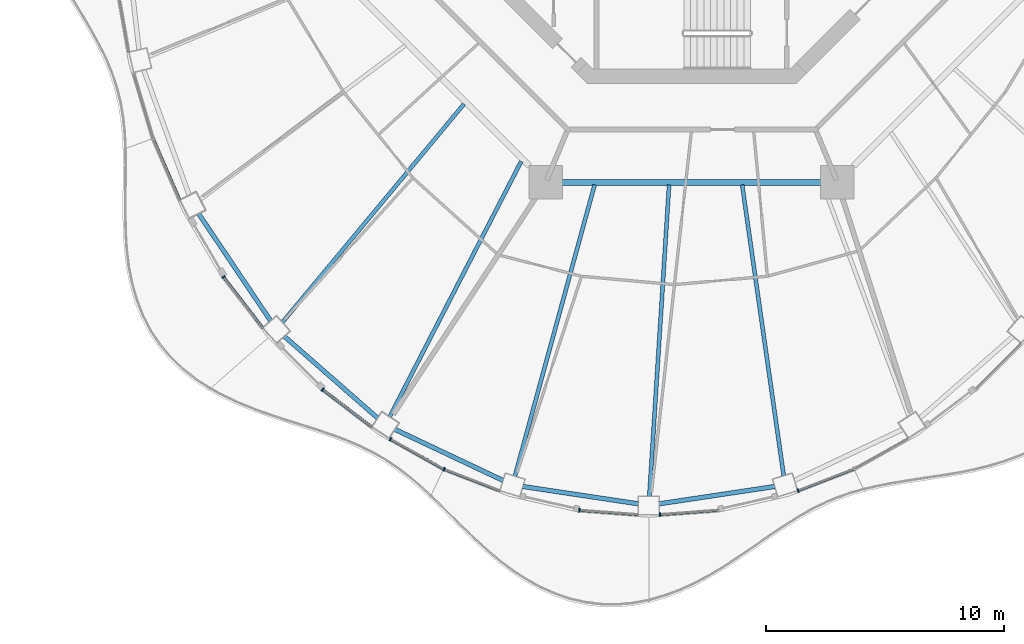
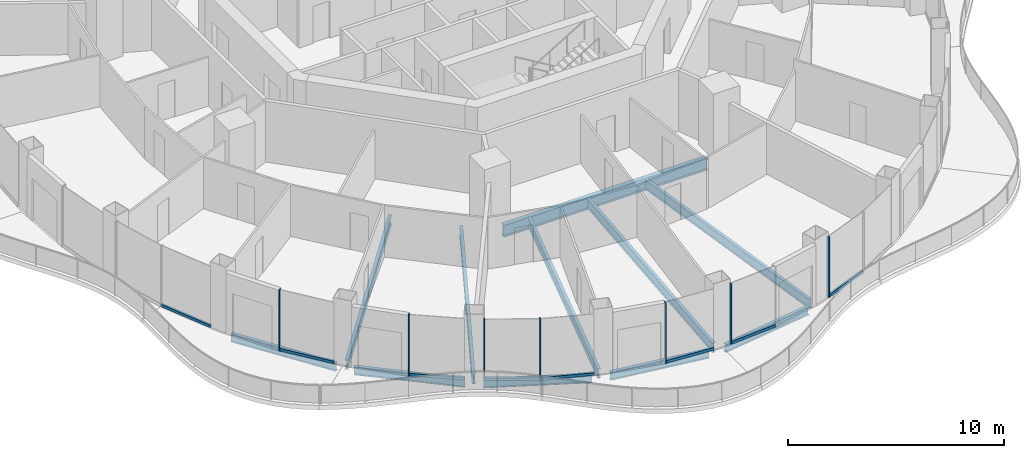
# One storey, part 2 of 17: 15 members, 11 beams, 8 elements without a shape of their own.
"""IFC4 building model written with IfcOpenShell, lengths in metres."""

from ifc_helpers import new_model, si_unit, direction, frame, origin, origin_2d, place, context, subcontext, project, spatial, rectangle, i_section, extrude, material, layer, layer_set, material_profile, profile_set, type_object, element, aggregate, save


model = new_model("IFC4")

# Units and contexts
model_context = context("Model", 3, precision=1e-05, world=origin(), true_north=direction((0.0, 1.0)))
body_context = subcontext(model_context, "Body", "Model", "MODEL_VIEW")
ifc_project = project(units=[si_unit("LENGTHUNIT", "METRE"), si_unit("AREAUNIT", "SQUARE_METRE"), si_unit("VOLUMEUNIT", "CUBIC_METRE"), si_unit("PLANEANGLEUNIT", "RADIAN"), si_unit("MASSUNIT", "GRAM", prefix="KILO")], contexts=[model_context])

# Site, building, storey
site_placement = place(None, origin())
site = spatial("IfcSite", under=ifc_project, at=site_placement, CompositionType="ELEMENT")
building_placement = place(site_placement, origin())
building = spatial("IfcBuilding", under=site, at=building_placement, Name="Nagisa Residences", CompositionType="ELEMENT")
storey_placement = place(building_placement, frame((0.0, 0.0, 273.300048828125)))
storey = spatial("IfcBuildingStorey", under=building, at=storey_placement, Name="L69", CompositionType="ELEMENT", Elevation=273.300048828125)

# Curtain wall, member
ifc_material_1 = material(Name="Concrete-coloured aluminium curtain wall system", Category="concrete")
ifc_layer = layer(ifc_material_1, 0.159912109375)
ifc_layer_set = layer_set([ifc_layer], Name="CW1 CURTAIN WALL")
curtain_wall_type = type_object("IfcCurtainWallType", Name="CW1 CURTAIN WALL", PredefinedType="NOTDEFINED", material=ifc_layer_set)
curtain_wall_1_placement = place(storey_placement, origin())
curtain_wall_1 = element("IfcCurtainWall", 1, at=curtain_wall_1_placement, inside=storey, type_object=curtain_wall_type, Name="cw:CW1:L69:29", PredefinedType="NOTDEFINED")
ifc_material_2 = material(Name="Concrete-coloured aluminium", Category="concrete")
ifc_material_profile_1 = material_profile(ifc_material_2, rectangle(XDim=0.159912109375, YDim=0.06005859375, at=origin_2d()), Name="CW1 MULLION 160x60")
ifc_profile_set_1 = profile_set([ifc_material_profile_1], Name="Concrete-coloured aluminium")
member_type_1 = type_object("IfcMemberType", Name="CW1 MULLION 160x60", PredefinedType="MULLION", material=ifc_profile_set_1)
member_1_placement = place(storey_placement, frame((-19.6640625, -18.76220703125, 0.0), z_axis=(0.0, 0.0, 1.0), x_axis=(0.792070340816, 0.610429828235, 0.0)))
member_1 = element("IfcMember", 2, at=member_1_placement, type_object=member_type_1, Name="CW1 mullion", PredefinedType="MULLION", context=body_context, shape_type="SweptSolid", body=[
    extrude(rectangle(XDim=0.159912109375, YDim=0.06005859375, at=origin_2d()), origin(), (0.0, 0.0, 1.0), 3.43994140625),
])

curtain_wall_2_placement = place(storey_placement, origin())
curtain_wall_2 = element("IfcCurtainWall", 3, at=curtain_wall_2_placement, inside=storey, type_object=curtain_wall_type, Name="cw:CW1:L69:31", PredefinedType="NOTDEFINED")
member_2_placement = place(storey_placement, frame((-15.497802734375, -23.4931640625, 0.0), z_axis=(0.0, 0.0, 1.0), x_axis=(0.605255421737, 0.79603132756, 0.0)))
member_2 = element("IfcMember", 4, at=member_2_placement, type_object=member_type_1, Name="CW1 mullion", PredefinedType="MULLION", context=body_context, shape_type="SweptSolid", body=[
    extrude(rectangle(XDim=0.159912109375, YDim=0.06005859375, at=origin_2d()), origin(), (0.0, 0.0, 1.0), 3.43994140625),
])

curtain_wall_3_placement = place(storey_placement, origin())
curtain_wall_3 = element("IfcCurtainWall", 5, at=curtain_wall_3_placement, inside=storey, type_object=curtain_wall_type, Name="cw:CW1:L69:32", PredefinedType="NOTDEFINED")
member_3_placement = place(storey_placement, frame((-12.65234375, -25.57421875, 0.0), z_axis=(0.0, 0.0, 1.0), x_axis=(0.489376918501, 0.872072377523, 0.0)))
member_3 = element("IfcMember", 6, at=member_3_placement, type_object=member_type_1, Name="CW1 mullion", PredefinedType="MULLION", context=body_context, shape_type="SweptSolid", body=[
    extrude(rectangle(XDim=0.159912109375, YDim=0.06005859375, at=origin_2d()), origin(), (0.0, 0.0, 1.0), 3.43994140625),
])

curtain_wall_4_placement = place(storey_placement, origin())
curtain_wall_4 = element("IfcCurtainWall", 7, at=curtain_wall_4_placement, inside=storey, type_object=curtain_wall_type, Name="cw:CW1:L69:33", PredefinedType="NOTDEFINED")
member_4_placement = place(storey_placement, frame((-10.3994140625, -26.83447265625, 0.0), z_axis=(0.0, 0.0, 1.0), x_axis=(0.360327770268, 0.932825759707, 0.0)))
member_4 = element("IfcMember", 8, at=member_4_placement, type_object=member_type_1, Name="CW1 mullion", PredefinedType="MULLION", context=body_context, shape_type="SweptSolid", body=[
    extrude(rectangle(XDim=0.159912109375, YDim=0.06005859375, at=origin_2d()), origin(), (0.0, 0.0, 1.0), 3.43994140625),
])

curtain_wall_5_placement = place(storey_placement, origin())
curtain_wall_5 = element("IfcCurtainWall", 9, at=curtain_wall_5_placement, inside=storey, type_object=curtain_wall_type, Name="cw:CW1:L69:35", PredefinedType="NOTDEFINED")
member_5_placement = place(storey_placement, frame((-4.716552734375, -28.559814453125, 0.0), z_axis=(0.0, 0.0, 1.0), x_axis=(0.074377355493, 0.997230168512, 0.0)))
member_5 = element("IfcMember", 10, at=member_5_placement, type_object=member_type_1, Name="CW1 mullion", PredefinedType="MULLION", context=body_context, shape_type="SweptSolid", body=[
    extrude(rectangle(XDim=0.159912109375, YDim=0.06005859375, at=origin_2d()), origin(), (0.0, 0.0, 1.0), 3.43994140625),
])

curtain_wall_6_placement = place(storey_placement, origin())
curtain_wall_6 = element("IfcCurtainWall", 11, at=curtain_wall_6_placement, inside=storey, type_object=curtain_wall_type, Name="cw:CW1:L69:36", PredefinedType="NOTDEFINED")
member_6_placement = place(storey_placement, frame((-1.327392578125, -28.7421875, 0.0), z_axis=(0.0, 0.0, 1.0), x_axis=(-0.074377355493, 0.997230168512, 0.0)))
member_6 = element("IfcMember", 12, at=member_6_placement, type_object=member_type_1, Name="CW1 mullion", PredefinedType="MULLION", context=body_context, shape_type="SweptSolid", body=[
    extrude(rectangle(XDim=0.159912109375, YDim=0.06005859375, at=origin_2d()), origin(), (0.0, 0.0, 1.0), 3.43994140625),
])

curtain_wall_7_placement = place(storey_placement, origin())
curtain_wall_7 = element("IfcCurtainWall", 13, at=curtain_wall_7_placement, inside=storey, type_object=curtain_wall_type, Name="cw:CW1:L69:38", PredefinedType="NOTDEFINED")
member_7_placement = place(storey_placement, frame((4.473388671875, -27.733154296875, 0.0), z_axis=(0.0, 0.0, 1.0), x_axis=(-0.360327770268, 0.932825759707, 0.0)))
member_7 = element("IfcMember", 14, at=member_7_placement, type_object=member_type_1, Name="CW1 mullion", PredefinedType="MULLION", context=body_context, shape_type="SweptSolid", body=[
    extrude(rectangle(XDim=0.159912109375, YDim=0.06005859375, at=origin_2d()), origin(), (0.0, 0.0, 1.0), 3.43994140625),
])

curtain_wall_8_placement = place(storey_placement, origin())
curtain_wall_8 = element("IfcCurtainWall", 15, at=curtain_wall_8_placement, inside=storey, type_object=curtain_wall_type, Name="cw:CW1:L69:27", PredefinedType="NOTDEFINED")
ifc_material_3 = material(Name="Concrete-coloured aluminium", Category="concrete")
ifc_material_profile_2 = material_profile(ifc_material_3, rectangle(XDim=0.1201171875, YDim=0.14990234375, at=origin_2d()), Name="CW1 TRANSOM 120x150")
ifc_profile_set_2 = profile_set([ifc_material_profile_2], Name="Concrete-coloured aluminium")
member_type_2 = type_object("IfcMemberType", Name="CW1 TRANSOM 120x150", PredefinedType="USERDEFINED", material=ifc_profile_set_2)
member_8_placement = place(storey_placement, frame((-22.624755859375, -12.93603515625, 0.074951171875), z_axis=(0.397597791596, -0.9175598052, 0.0), x_axis=(0.9175598052, 0.397597791596, 0.0)))
member_8 = element("IfcMember", 16, at=member_8_placement, type_object=member_type_2, Name="CW1 transom", ObjectType="TRANSOM", PredefinedType="USERDEFINED", context=body_context, shape_type="SweptSolid", body=[
    extrude(rectangle(XDim=0.1201171875, YDim=0.14990234375, at=origin_2d()), origin(), (0.0, 0.0, 1.0), 2.841064453125),
])
aggregate(curtain_wall_8, [member_8])

# Member
member_9_placement = place(storey_placement, frame((-19.682373046875, -18.73828125, 0.074951171875), z_axis=(0.610432336622, -0.792068407656, 0.0), x_axis=(0.792068407656, 0.610432336622, 0.0)))
member_9 = element("IfcMember", 17, at=member_9_placement, type_object=member_type_2, Name="CW1 transom", ObjectType="TRANSOM", PredefinedType="USERDEFINED", context=body_context, shape_type="SweptSolid", body=[
    extrude(rectangle(XDim=0.1201171875, YDim=0.14990234375, at=origin_2d()), origin(), (0.0, 0.0, 1.0), 2.74609375),
])

aggregate(curtain_wall_1, [member_1, member_9])

member_10_placement = place(storey_placement, frame((-15.521728515625, -23.474853515625, 0.074951171875), z_axis=(0.796010739377, -0.605282498339, 0.0), x_axis=(0.605282498339, 0.796010739377, 0.0)))
member_10 = element("IfcMember", 18, at=member_10_placement, type_object=member_type_2, Name="CW1 transom", ObjectType="TRANSOM", PredefinedType="USERDEFINED", context=body_context, shape_type="SweptSolid", body=[
    extrude(rectangle(XDim=0.1201171875, YDim=0.14990234375, at=origin_2d()), origin(), (0.0, 0.0, 1.0), 2.640625),
])

aggregate(curtain_wall_2, [member_2, member_10])

member_11_placement = place(storey_placement, frame((-12.678466796875, -25.5595703125, 0.074951171875), z_axis=(0.872052877201, -0.489411666561, 0.0), x_axis=(0.489411666561, 0.872052877201, 0.0)))
member_11 = element("IfcMember", 19, at=member_11_placement, type_object=member_type_2, Name="CW1 transom", ObjectType="TRANSOM", PredefinedType="USERDEFINED", context=body_context, shape_type="SweptSolid", body=[
    extrude(rectangle(XDim=0.1201171875, YDim=0.14990234375, at=origin_2d()), origin(), (0.0, 0.0, 1.0), 2.593017578125),
])

aggregate(curtain_wall_3, [member_3, member_11])

member_12_placement = place(storey_placement, frame((-10.427490234375, -26.82373046875, 0.074951171875), z_axis=(0.93282223778, -0.360336887792, 0.0), x_axis=(0.360336887792, 0.93282223778, 0.0)))
member_12 = element("IfcMember", 20, at=member_12_placement, type_object=member_type_2, Name="CW1 transom", ObjectType="TRANSOM", PredefinedType="USERDEFINED", context=body_context, shape_type="SweptSolid", body=[
    extrude(rectangle(XDim=0.1201171875, YDim=0.14990234375, at=origin_2d()), origin(), (0.0, 0.0, 1.0), 2.5537109375),
])

aggregate(curtain_wall_4, [member_4, member_12])

member_13_placement = place(storey_placement, frame((-4.74658203125, -28.5576171875, 0.074951171875), z_axis=(0.99722914645, -0.074391057731, 0.0), x_axis=(0.074391057731, 0.99722914645, 0.0)))
member_13 = element("IfcMember", 21, at=member_13_placement, type_object=member_type_2, Name="CW1 transom", ObjectType="TRANSOM", PredefinedType="USERDEFINED", context=body_context, shape_type="SweptSolid", body=[
    extrude(rectangle(XDim=0.1201171875, YDim=0.14990234375, at=origin_2d()), origin(), (0.0, 0.0, 1.0), 2.510498046875),
])

aggregate(curtain_wall_5, [member_5, member_13])

member_14_placement = place(storey_placement, frame((-1.357177734375, -28.744384765625, 0.074951171875), z_axis=(0.99722914645, 0.074391057731, 0.0), x_axis=(-0.074391057731, 0.99722914645, 0.0)))
member_14 = element("IfcMember", 22, at=member_14_placement, type_object=member_type_2, Name="CW1 transom", ObjectType="TRANSOM", PredefinedType="USERDEFINED", context=body_context, shape_type="SweptSolid", body=[
    extrude(rectangle(XDim=0.1201171875, YDim=0.14990234375, at=origin_2d()), origin(), (0.0, 0.0, 1.0), 2.510498046875),
])

aggregate(curtain_wall_6, [member_6, member_14])

member_15_placement = place(storey_placement, frame((4.4453125, -27.743896484375, 0.074951171875), z_axis=(0.93282223778, 0.360336887792, 0.0), x_axis=(-0.360336887792, 0.93282223778, 0.0)))
member_15 = element("IfcMember", 23, at=member_15_placement, type_object=member_type_2, Name="CW1 transom", ObjectType="TRANSOM", PredefinedType="USERDEFINED", context=body_context, shape_type="SweptSolid", body=[
    extrude(rectangle(XDim=0.1201171875, YDim=0.14990234375, at=origin_2d()), origin(), (0.0, 0.0, 1.0), 2.5537109375),
])

aggregate(curtain_wall_7, [member_7, member_15])

# Beams
ifc_material_4 = material(Name="Steel ASTM A572 Gr 50", Category="steel")
ifc_material_profile_3 = material_profile(ifc_material_4, i_section(OverallWidth=0.2529296875, OverallDepth=0.677978515625, WebThickness=0.01171875, FlangeThickness=0.016357421875, at=origin_2d()), Name="W690x125")
ifc_profile_set_3 = profile_set([ifc_material_profile_3], Name="Steel ASTM A572 Gr 50")
beam_type_1 = type_object("IfcBeamType", Name="Inner ring beam W690x125", PredefinedType="BEAM", material=ifc_profile_set_3)
beam_1_placement = place(storey_placement, frame((-5.44287109375, -14.781982421875, -0.59912109375), z_axis=(1.0, 0.0, 0.0), x_axis=(0.0, 1.0, 0.0)))
element("IfcBeam", 24, at=beam_1_placement, inside=storey, type_object=beam_type_1, Name="beam:L69:ib6", PredefinedType="BEAM", context=body_context, shape_type="SweptSolid", body=[
    extrude(i_section(OverallWidth=0.2529296875, OverallDepth=0.677978515625, WebThickness=0.01171875, FlangeThickness=0.016357421875, at=origin_2d()), origin(), (0.0, 0.0, 1.0), 10.8857421875),
])
ifc_material_5 = material(Name="Steel ASTM A572 Gr 50", Category="steel")
ifc_material_profile_4 = material_profile(ifc_material_5, i_section(OverallWidth=0.18994140625, OverallDepth=0.45703125, WebThickness=0.009033203125, FlangeThickness=0.014404296875, at=origin_2d()), Name="W460x74")
ifc_profile_set_4 = profile_set([ifc_material_profile_4], Name="Steel ASTM A572 Gr 50")
beam_type_2 = type_object("IfcBeamType", Name="Perimeter ring beam W460x74", PredefinedType="BEAM", material=ifc_profile_set_4)
beam_2_placement = place(storey_placement, frame((-20.714599609375, -16.097412109375, -0.488525390625), z_axis=(0.558014665254, -0.829831087247, 0.0), x_axis=(0.829831087247, 0.558014665254, 0.0)))
element("IfcBeam", 25, at=beam_2_placement, inside=storey, type_object=beam_type_2, Name="beam:L69:pb15", PredefinedType="BEAM", context=body_context, shape_type="SweptSolid", body=[
    extrude(i_section(OverallWidth=0.18994140625, OverallDepth=0.45703125, WebThickness=0.009033203125, FlangeThickness=0.014404296875, at=origin_2d()), origin(), (0.0, 0.0, 1.0), 5.43212890625),
])
beam_3_placement = place(storey_placement, frame((-17.11474609375, -21.2509765625, -0.488525390625), z_axis=(0.752365189148, -0.658746250204, 0.0), x_axis=(0.658746250204, 0.752365189148, 0.0)))
element("IfcBeam", 26, at=beam_3_placement, inside=storey, type_object=beam_type_2, Name="beam:L69:pb16", PredefinedType="BEAM", context=body_context, shape_type="SweptSolid", body=[
    extrude(i_section(OverallWidth=0.18994140625, OverallDepth=0.45703125, WebThickness=0.009033203125, FlangeThickness=0.014404296875, at=origin_2d()), origin(), (0.0, 0.0, 1.0), 5.220947265625),
])
beam_4_placement = place(storey_placement, frame((-12.46728515625, -25.161865234375, -0.488525390625), z_axis=(0.904115893837, -0.427287316113, 0.0), x_axis=(0.427287316113, 0.904115893837, 0.0)))
element("IfcBeam", 27, at=beam_4_placement, inside=storey, type_object=beam_type_2, Name="beam:L69:pb17", PredefinedType="BEAM", context=body_context, shape_type="SweptSolid", body=[
    extrude(i_section(OverallWidth=0.18994140625, OverallDepth=0.45703125, WebThickness=0.009033203125, FlangeThickness=0.014404296875, at=origin_2d()), origin(), (0.0, 0.0, 1.0), 5.031494140625),
])
beam_5_placement = place(storey_placement, frame((-7.094970703125, -27.562255859375, -0.488525390625), z_axis=(0.98890648267, -0.148539451101, 0.0), x_axis=(0.148539451101, 0.98890648267, 0.0)))
element("IfcBeam", 28, at=beam_5_placement, inside=storey, type_object=beam_type_2, Name="beam:L69:pb18", PredefinedType="BEAM", context=body_context, shape_type="SweptSolid", body=[
    extrude(i_section(OverallWidth=0.18994140625, OverallDepth=0.45703125, WebThickness=0.009033203125, FlangeThickness=0.014404296875, at=origin_2d()), origin(), (0.0, 0.0, 1.0), 4.91943359375),
])
beam_6_placement = place(storey_placement, frame((-1.369873046875, -28.29296875, -0.488525390625), z_axis=(0.988907577601, 0.148532161377, 0.0), x_axis=(-0.148532161377, 0.988907577601, 0.0)))
element("IfcBeam", 29, at=beam_6_placement, inside=storey, type_object=beam_type_2, Name="beam:L69:pb19", PredefinedType="BEAM", context=body_context, shape_type="SweptSolid", body=[
    extrude(i_section(OverallWidth=0.18994140625, OverallDepth=0.45703125, WebThickness=0.009033203125, FlangeThickness=0.014404296875, at=origin_2d()), origin(), (0.0, 0.0, 1.0), 4.919677734375),
])
ifc_material_6 = material(Name="Steel ASTM A572 Gr 50", Category="steel")
ifc_material_profile_5 = material_profile(ifc_material_6, i_section(OverallWidth=0.166015625, OverallDepth=0.534912109375, WebThickness=0.01025390625, FlangeThickness=0.0166015625, at=origin_2d()), Name="W530x85")
ifc_profile_set_5 = profile_set([ifc_material_profile_5], Name="Steel ASTM A572 Gr 50")
beam_type_3 = type_object("IfcBeamType", Name="Radial beam W530x85", PredefinedType="BEAM", material=ifc_profile_set_5)
beam_7_placement = place(storey_placement, frame((-17.195068359375, -20.669189453125, -0.527587890625), z_axis=(0.639540330466, 0.768757546764, 0.0), x_axis=(-0.768757546764, 0.639540330466, 0.0)))
element("IfcBeam", 30, at=beam_7_placement, inside=storey, type_object=beam_type_3, Name="beam:L69:rb16", PredefinedType="BEAM", context=body_context, shape_type="SweptSolid", body=[
    extrude(i_section(OverallWidth=0.166015625, OverallDepth=0.534912109375, WebThickness=0.01025390625, FlangeThickness=0.0166015625, at=origin_2d()), origin(), (0.0, 0.0, 1.0), 11.935302734375),
])
beam_8_placement = place(storey_placement, frame((-12.68505859375, -24.63623046875, -0.527587890625), z_axis=(0.457775990682, 0.88906756906, 0.0), x_axis=(-0.88906756906, 0.457775990682, 0.0)))
element("IfcBeam", 31, at=beam_8_placement, inside=storey, type_object=beam_type_3, Name="beam:L69:rb17", PredefinedType="BEAM", context=body_context, shape_type="SweptSolid", body=[
    extrude(i_section(OverallWidth=0.166015625, OverallDepth=0.534912109375, WebThickness=0.01025390625, FlangeThickness=0.0166015625, at=origin_2d()), origin(), (0.0, 0.0, 1.0), 12.075927734375),
])
beam_9_placement = place(storey_placement, frame((-7.4248046875, -27.130859375, -0.527587890625), z_axis=(0.263957181957, 0.964534398606, 0.0), x_axis=(-0.964534398606, 0.263957181957, 0.0)))
element("IfcBeam", 32, at=beam_9_placement, inside=storey, type_object=beam_type_3, Name="beam:L69:rb18", PredefinedType="BEAM", context=body_context, shape_type="SweptSolid", body=[
    extrude(i_section(OverallWidth=0.166015625, OverallDepth=0.534912109375, WebThickness=0.01025390625, FlangeThickness=0.0166015625, at=origin_2d()), origin(), (0.0, 0.0, 1.0), 12.69189453125),
])
beam_10_placement = place(storey_placement, frame((-1.77587890625, -27.9775390625, -0.527587890625), z_axis=(0.06334711, 0.997991554901, 0.0), x_axis=(-0.997991554901, 0.06334711, 0.0)))
element("IfcBeam", 33, at=beam_10_placement, inside=storey, type_object=beam_type_3, Name="beam:L69:rb19", PredefinedType="BEAM", context=body_context, shape_type="SweptSolid", body=[
    extrude(i_section(OverallWidth=0.166015625, OverallDepth=0.534912109375, WebThickness=0.01025390625, FlangeThickness=0.0166015625, at=origin_2d()), origin(), (0.0, 0.0, 1.0), 13.115234375),
])
beam_11_placement = place(storey_placement, frame((3.87060546875, -27.11669921875, -0.527587890625), z_axis=(-0.141302367909, 0.989966484697, 0.0), x_axis=(-0.989966484697, -0.141302367909, 0.0)))
element("IfcBeam", 34, at=beam_11_placement, inside=storey, type_object=beam_type_3, Name="beam:L69:rb20", PredefinedType="BEAM", context=body_context, shape_type="SweptSolid", body=[
    extrude(i_section(OverallWidth=0.166015625, OverallDepth=0.534912109375, WebThickness=0.01025390625, FlangeThickness=0.0166015625, at=origin_2d()), origin(), (0.0, 0.0, 1.0), 12.35205078125),
])

save(model, "model.ifc")
